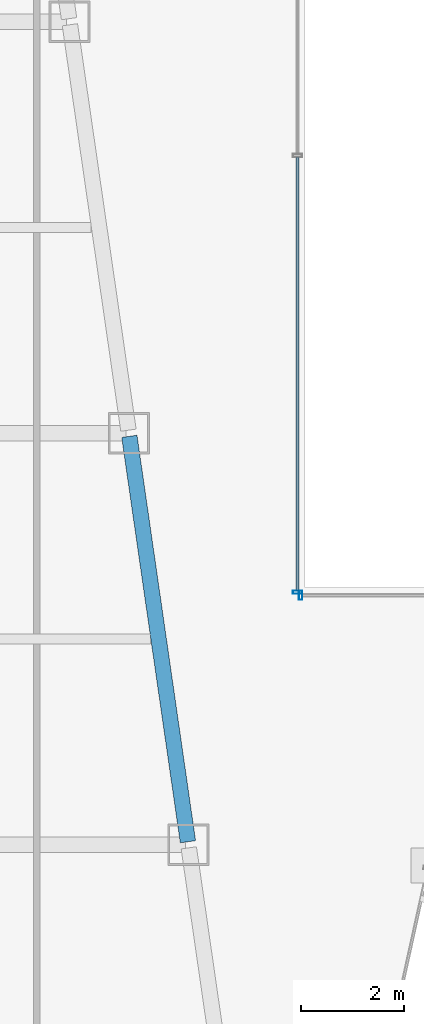
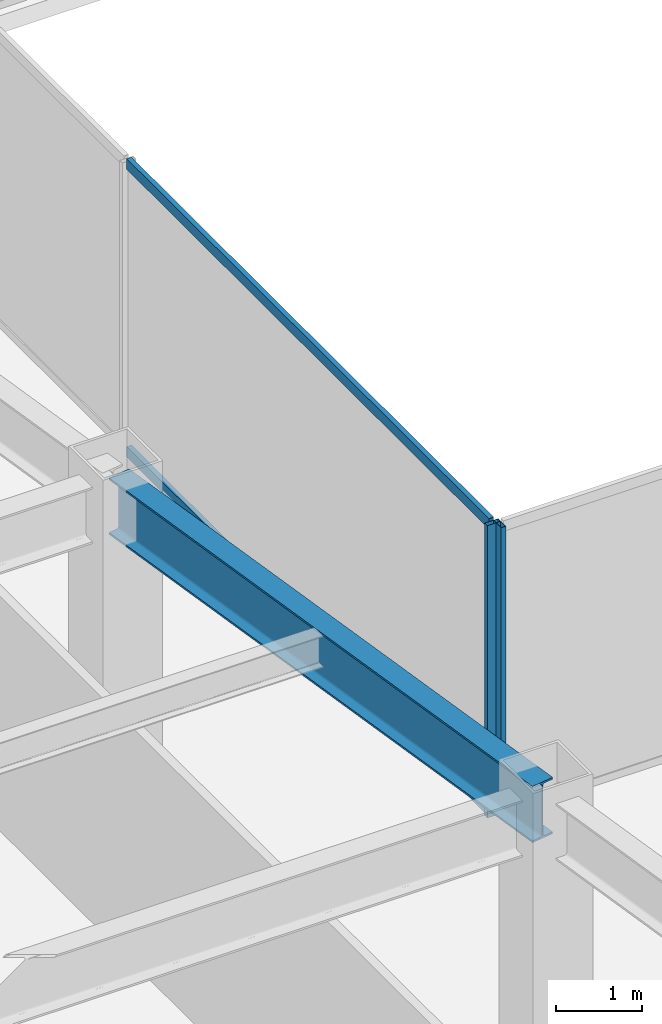
# One storey, part 12 of 49: 4 members, 1 beam, 2 elements without a shape of their own.
"""IFC4 building model written with IfcOpenShell, lengths in metres."""

from ifc_helpers import new_model, si_unit, direction, frame, origin, origin_2d, place, context, subcontext, project, spatial, hollow_rectangle, i_section, extrude, material, material_profile, profile_set, type_object, element, aggregate, save


model = new_model("IFC4")

# Units and contexts
model_context = context("Model", 3, precision=1e-05, world=origin(), true_north=direction((0.0, 1.0)))
body_context = subcontext(model_context, "Body", "Model", "MODEL_VIEW")
ifc_project = project(units=[si_unit("LENGTHUNIT", "METRE"), si_unit("AREAUNIT", "SQUARE_METRE"), si_unit("VOLUMEUNIT", "CUBIC_METRE"), si_unit("PLANEANGLEUNIT", "RADIAN"), si_unit("MASSUNIT", "GRAM", prefix="KILO")], contexts=[model_context])

# Site, building, storey
site_placement = place(None, origin())
site = spatial("IfcSite", under=ifc_project, at=site_placement, CompositionType="ELEMENT")
building_placement = place(site_placement, origin())
building = spatial("IfcBuilding", under=site, at=building_placement, Name="Saevonmaru Cultural Tower", CompositionType="ELEMENT")
storey_placement = place(building_placement, frame((0.0, 0.0, 73.60009765625)))
storey = spatial("IfcBuildingStorey", under=building, at=storey_placement, Name="L15", CompositionType="ELEMENT", Elevation=73.60009765625)

# Beam
ifc_material_1 = material(Name="Steel SM420", Category="steel")
ifc_material_profile_1 = material_profile(ifc_material_1, i_section(OverallWidth=0.300048828125, OverallDepth=0.800048828125, WebThickness=0.013916015625, FlangeThickness=0.02587890625, FilletRadius=0.028076171875, at=origin_2d()), Name="H-800x300x14x26")
ifc_profile_set_1 = profile_set([ifc_material_profile_1], Name="Steel SM420")
beam_type = type_object("IfcBeamType", Name="BM-G-H800", PredefinedType="BEAM", material=ifc_profile_set_1)
beam_placement = place(storey_placement, frame((21.91943359375, 16.059326171875, 3.75), z_axis=(-0.143022161059, 0.989719486241, 0.0), x_axis=(-0.989719486241, -0.143022161059, 0.0)))
element("IfcBeam", 1, at=beam_placement, inside=storey, type_object=beam_type, Name="L15 West Atrium Girder 3", PredefinedType="BEAM", context=body_context, shape_type="SweptSolid", body=[
    extrude(i_section(OverallWidth=0.300048828125, OverallDepth=0.800048828125, WebThickness=0.013916015625, FlangeThickness=0.02587890625, FilletRadius=0.028076171875, at=origin_2d()), origin(), (0.0, 0.0, 1.0), 7.963134765625),
])

# Curtain wall, member
ifc_material_2 = material(Name="Satin Bronze Anodised Aluminium", Category="aluminium")
curtain_wall_type = type_object("IfcCurtainWallType", Name="CW-ATR-GLZ", PredefinedType="NOTDEFINED", material=ifc_material_2)
curtain_wall_1_placement = place(storey_placement, origin())
curtain_wall_1 = element("IfcCurtainWall", 2, at=curtain_wall_1_placement, inside=storey, type_object=curtain_wall_type, Name="L15 Vertical Atrium Glazed Smoke Screen 1", PredefinedType="NOTDEFINED")
ifc_material_profile_2 = material_profile(ifc_material_2, hollow_rectangle(XDim=0.06494140625, YDim=0.179931640625, WallThickness=0.00390625, at=origin_2d()), Name="ALU-MULL-180x65x4")
ifc_profile_set_2 = profile_set([ifc_material_profile_2], Name="Satin Bronze Anodised Aluminium")
member_type_1 = type_object("IfcMemberType", Name="ML-CW-INT-180x65", PredefinedType="MULLION", material=ifc_profile_set_2)
member_1_placement = place(storey_placement, frame((24.110107421875, 20.85009765625, 0.0), z_axis=(0.0, 0.0, 1.0), x_axis=(1.0, 0.0, 0.0)))
member_1 = element("IfcMember", 3, at=member_1_placement, type_object=member_type_1, Name="CW-ATR-L15-1 mullion 1", PredefinedType="MULLION", context=body_context, shape_type="SweptSolid", body=[
    extrude(hollow_rectangle(XDim=0.06494140625, YDim=0.179931640625, WallThickness=0.00390625, at=origin_2d()), origin(), (0.0, 0.0, 1.0), 4.14990234375),
])
aggregate(curtain_wall_1, [member_1])

# Curtain wall, members
curtain_wall_2_placement = place(storey_placement, origin())
curtain_wall_2 = element("IfcCurtainWall", 4, at=curtain_wall_2_placement, inside=storey, type_object=curtain_wall_type, Name="L15 Vertical Atrium Glazed Smoke Screen 4", PredefinedType="NOTDEFINED")
member_2_placement = place(storey_placement, frame((24.050048828125, 20.909912109375, 0.0), z_axis=(0.0, 0.0, 1.0), x_axis=(0.0, -1.0, 0.0)))
member_2 = element("IfcMember", 5, at=member_2_placement, type_object=member_type_1, Name="CW-ATR-L15-4 mullion 3", PredefinedType="MULLION", context=body_context, shape_type="SweptSolid", body=[
    extrude(hollow_rectangle(XDim=0.06494140625, YDim=0.179931640625, WallThickness=0.00390625, at=origin_2d()), origin(), (0.0, 0.0, 1.0), 4.14990234375),
])
ifc_material_profile_3 = material_profile(ifc_material_2, hollow_rectangle(XDim=0.06494140625, YDim=0.14990234375, WallThickness=0.00390625, at=origin_2d()), Name="ALU-TRAN-150x65x4")
ifc_profile_set_3 = profile_set([ifc_material_profile_3], Name="Satin Bronze Anodised Aluminium")
member_type_2 = type_object("IfcMemberType", Name="TR-CW-INT-150x65", PredefinedType="USERDEFINED", material=ifc_profile_set_3)
member_3_placement = place(storey_placement, frame((24.050048828125, 29.367431640625, 0.032470703125), z_axis=(0.0, -1.0, 0.0), x_axis=(1.0, 0.0, 0.0)))
member_3 = element("IfcMember", 6, at=member_3_placement, type_object=member_type_2, Name="CW-ATR-L15-4 transom 2.1", ObjectType="TRANSOM", PredefinedType="USERDEFINED", context=body_context, shape_type="SweptSolid", body=[
    extrude(hollow_rectangle(XDim=0.06494140625, YDim=0.14990234375, WallThickness=0.00390625, at=origin_2d()), origin(), (0.0, 0.0, 1.0), 8.425048828125),
])
member_4_placement = place(storey_placement, frame((24.050048828125, 29.367431640625, 4.117431640625), z_axis=(0.0, -1.0, 0.0), x_axis=(1.0, 0.0, 0.0)))
member_4 = element("IfcMember", 7, at=member_4_placement, type_object=member_type_2, Name="CW-ATR-L15-4 transom 2.2", ObjectType="TRANSOM", PredefinedType="USERDEFINED", context=body_context, shape_type="SweptSolid", body=[
    extrude(hollow_rectangle(XDim=0.06494140625, YDim=0.14990234375, WallThickness=0.00390625, at=origin_2d()), origin(), (0.0, 0.0, 1.0), 8.425048828125),
])
aggregate(curtain_wall_2, [member_2, member_3, member_4])

save(model, "model.ifc")
